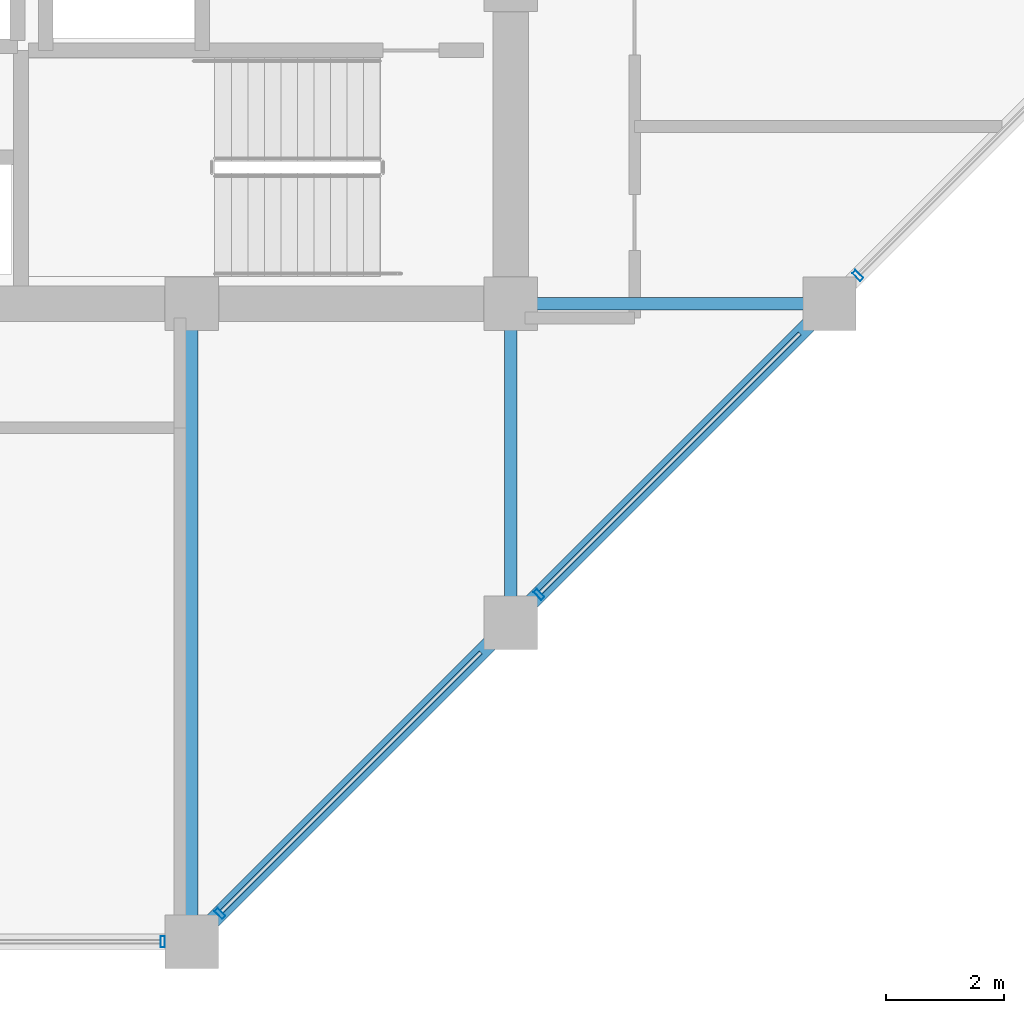
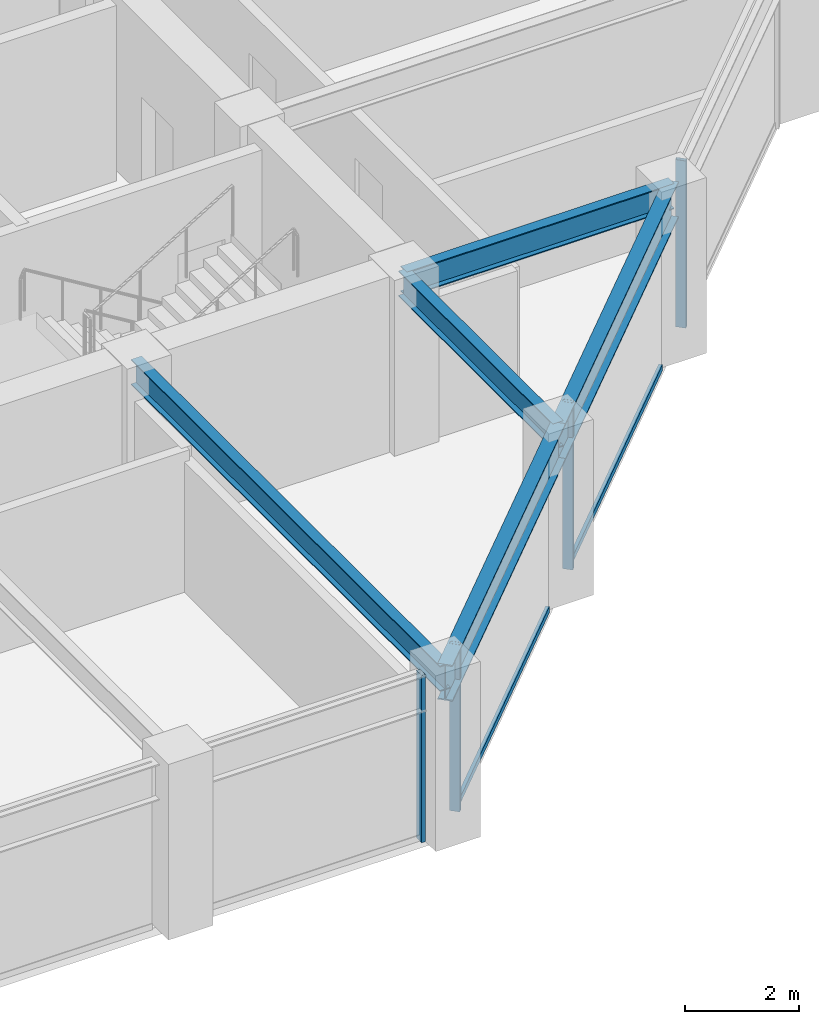
# One storey, part 9 of 28: 6 members, 5 beams, 2 elements without a shape of their own.
"""IFC4 building model written with IfcOpenShell, lengths in metres."""

from ifc_helpers import new_model, si_unit, direction, frame, origin, origin_2d, place, context, subcontext, project, spatial, hollow_rectangle, i_section, extrude, material, layer, layer_set, material_profile, profile_set, type_object, element, aggregate, save


model = new_model("IFC4")

# Units and contexts
model_context = context("Model", 3, precision=1e-05, world=origin(), true_north=direction((0.0, 1.0)))
body_context = subcontext(model_context, "Body", "Model", "MODEL_VIEW")
ifc_project = project(units=[si_unit("LENGTHUNIT", "METRE"), si_unit("AREAUNIT", "SQUARE_METRE"), si_unit("VOLUMEUNIT", "CUBIC_METRE"), si_unit("PLANEANGLEUNIT", "RADIAN"), si_unit("MASSUNIT", "GRAM", prefix="KILO")], contexts=[model_context])

# Site, building, storey
site_placement = place(None, origin())
site = spatial("IfcSite", under=ifc_project, at=site_placement, CompositionType="ELEMENT")
building_placement = place(site_placement, origin())
building = spatial("IfcBuilding", under=site, at=building_placement, Name="Surkhivell Harbour Commons", CompositionType="ELEMENT")
storey_placement = place(building_placement, frame((0.0, 0.0, 178.5)))
storey = spatial("IfcBuildingStorey", under=building, at=storey_placement, Name="L46", CompositionType="ELEMENT", Elevation=178.5)

# Beams
ifc_material_1 = material(Name="Steel S355", Category="steel")
ifc_material_profile_1 = material_profile(ifc_material_1, i_section(OverallWidth=0.2119140625, OverallDepth=0.5439453125, WebThickness=0.0126953125, FlangeThickness=0.021240234375, at=origin_2d()), Name="UB533x210x122")
ifc_profile_set_1 = profile_set([ifc_material_profile_1], Name="Steel S355")
beam_type_1 = type_object("IfcBeamType", Name="BM-GRD-533A", PredefinedType="BEAM", material=ifc_profile_set_1)
beam_1_placement = place(storey_placement, frame((5.39990234375, -21.60009765625, 3.298095703125), z_axis=(0.0, 1.0, 0.0), x_axis=(-1.0, 0.0, 0.0)))
element("IfcBeam", 1, at=beam_1_placement, inside=storey, type_object=beam_type_1, Name="L46 Floor Girder (5.4,-21.6)", PredefinedType="BEAM", context=body_context, shape_type="SweptSolid", body=[
    extrude(i_section(OverallWidth=0.2119140625, OverallDepth=0.5439453125, WebThickness=0.0126953125, FlangeThickness=0.021240234375, at=origin_2d()), origin(), (0.0, 0.0, 1.0), 10.800048828125),
])
for number, where, z_axis, x_axis, name in (
    (2, (10.800048828125, -16.199951171875, 3.298095703125), (0.0, 1.0, 0.0), (-1.0, 0.0, 0.0), "L46 Floor Girder (10.8,-16.2)"),
    (3, (10.800048828125, -10.800048828125, 3.298095703125), (1.0, 0.0, 0.0), (0.0, 1.0, 0.0), "L46 Floor Girder (10.8,-10.8)"),
):
    element("IfcBeam", number, at=place(storey_placement, frame(where, z_axis=z_axis, x_axis=x_axis)), inside=storey, type_object=beam_type_1, Name=name, PredefinedType="BEAM", context=body_context, shape_type="SweptSolid", body=[
        extrude(i_section(OverallWidth=0.2119140625, OverallDepth=0.5439453125, WebThickness=0.0126953125, FlangeThickness=0.021240234375, at=origin_2d()), origin(), (0.0, 0.0, 1.0), 5.39990234375),
    ])
ifc_material_profile_2 = material_profile(ifc_material_1, i_section(OverallWidth=0.26806640625, OverallDepth=0.77001953125, WebThickness=0.015625, FlangeThickness=0.025390625, at=origin_2d()), Name="UB762x267x197")
ifc_profile_set_2 = profile_set([ifc_material_profile_2], Name="Steel S355")
beam_type_2 = type_object("IfcBeamType", Name="BM-SPN-762", PredefinedType="SPANDREL", material=ifc_profile_set_2)
beam_2_placement = place(storey_placement, frame((5.39990234375, -21.60009765625, 3.18505859375), z_axis=(0.707106781187, 0.707106781187, 0.0), x_axis=(-0.707106781187, 0.707106781187, 0.0)))
element("IfcBeam", 4, at=beam_2_placement, inside=storey, type_object=beam_type_2, Name="L46 Tube Spandrel (5.4,-21.6)", PredefinedType="SPANDREL", context=body_context, shape_type="SweptSolid", body=[
    extrude(i_section(OverallWidth=0.26806640625, OverallDepth=0.77001953125, WebThickness=0.015625, FlangeThickness=0.025390625, at=origin_2d()), origin(), (0.0, 0.0, 1.0), 7.636962890625),
])
beam_3_placement = place(storey_placement, frame((10.800048828125, -16.199951171875, 3.18505859375), z_axis=(0.707106781187, 0.707106781187, 0.0), x_axis=(-0.707106781187, 0.707106781187, 0.0)))
element("IfcBeam", 5, at=beam_3_placement, inside=storey, type_object=beam_type_2, Name="L46 Tube Spandrel (10.8,-16.2)", PredefinedType="SPANDREL", context=body_context, shape_type="SweptSolid", body=[
    extrude(i_section(OverallWidth=0.26806640625, OverallDepth=0.77001953125, WebThickness=0.015625, FlangeThickness=0.025390625, at=origin_2d()), origin(), (0.0, 0.0, 1.0), 7.63671875),
])

# Curtain wall, member
ifc_material_2 = material(Name="Anodised pale-metal aluminium and insulated glazing", Category="aluminium")
ifc_layer = layer(ifc_material_2, 0.18994140625)
ifc_layer_set = layer_set([ifc_layer], Name="Anodised pale-metal aluminium and insulated glazing")
curtain_wall_type = type_object("IfcCurtainWallType", Name="CW-SYS-Z3", PredefinedType="NOTDEFINED", material=ifc_layer_set)
curtain_wall_1_placement = place(storey_placement, origin())
curtain_wall_1 = element("IfcCurtainWall", 6, at=curtain_wall_1_placement, inside=storey, type_object=curtain_wall_type, Name="L46 Curtain Wall CW-L46-E00S2", PredefinedType="NOTDEFINED")
ifc_material_3 = material(Name="Anodised pale-metal aluminium alloy 6063-T6", Category="aluminium")
ifc_material_profile_3 = material_profile(ifc_material_3, hollow_rectangle(XDim=0.074951171875, YDim=0.18994140625, WallThickness=0.00390625, at=origin_2d()), Name="ALU-MULL-75x190")
ifc_profile_set_3 = profile_set([ifc_material_profile_3], Name="Anodised pale-metal aluminium alloy 6063-T6")
member_type_1 = type_object("IfcMemberType", Name="CWM-190", PredefinedType="MULLION", material=ifc_profile_set_3)
member_1_placement = place(storey_placement, frame((4.910400390625, -21.60009765625, 0.0), z_axis=(0.0, 0.0, 1.0), x_axis=(1.0, 0.0, 0.0)))
member_1 = element("IfcMember", 7, at=member_1_placement, type_object=member_type_1, Name="CW-Z3 mullion 3", PredefinedType="MULLION", context=body_context, shape_type="SweptSolid", body=[
    extrude(hollow_rectangle(XDim=0.074951171875, YDim=0.18994140625, WallThickness=0.00390625, at=origin_2d()), origin(), (0.0, 0.0, 1.0), 3.570068359375),
])
aggregate(curtain_wall_1, [member_1])

# Curtain wall, members
curtain_wall_2_placement = place(storey_placement, origin())
curtain_wall_2 = element("IfcCurtainWall", 8, at=curtain_wall_2_placement, inside=storey, type_object=curtain_wall_type, Name="L46 Curtain Wall CW-L46-E01", PredefinedType="NOTDEFINED")
member_2_placement = place(storey_placement, frame((5.878173828125, -21.121826171875, 0.0), z_axis=(0.0, 0.0, 1.0), x_axis=(0.707106781187, 0.707106781187, 0.0)))
member_2 = element("IfcMember", 9, at=member_2_placement, type_object=member_type_1, Name="CW-Z3 mullion 1", PredefinedType="MULLION", context=body_context, shape_type="SweptSolid", body=[
    extrude(hollow_rectangle(XDim=0.074951171875, YDim=0.18994140625, WallThickness=0.00390625, at=origin_2d()), origin(), (0.0, 0.0, 1.0), 3.570068359375),
])
member_3_placement = place(storey_placement, frame((11.278076171875, -15.721923828125, 0.0), z_axis=(0.0, 0.0, 1.0), x_axis=(0.707106781187, 0.707106781187, 0.0)))
member_3 = element("IfcMember", 10, at=member_3_placement, type_object=member_type_1, Name="CW-Z3 mullion 2", PredefinedType="MULLION", context=body_context, shape_type="SweptSolid", body=[
    extrude(hollow_rectangle(XDim=0.074951171875, YDim=0.18994140625, WallThickness=0.00390625, at=origin_2d()), origin(), (0.0, 0.0, 1.0), 3.570068359375),
])
member_4_placement = place(storey_placement, frame((16.67822265625, -10.32177734375, 0.0), z_axis=(0.0, 0.0, 1.0), x_axis=(0.707106781187, 0.707106781187, 0.0)))
member_4 = element("IfcMember", 11, at=member_4_placement, type_object=member_type_1, Name="CW-Z3 mullion 3", PredefinedType="MULLION", context=body_context, shape_type="SweptSolid", body=[
    extrude(hollow_rectangle(XDim=0.074951171875, YDim=0.18994140625, WallThickness=0.00390625, at=origin_2d()), origin(), (0.0, 0.0, 1.0), 3.570068359375),
])
ifc_material_4 = material(Name="Champagne anodised aluminium alloy 6063-T6", Category="aluminium")
ifc_material_profile_4 = material_profile(ifc_material_4, hollow_rectangle(XDim=0.070068359375, YDim=0.1298828125, WallThickness=0.00341796875, at=origin_2d()), Name="ALU-TRAN-70x130")
ifc_profile_set_4 = profile_set([ifc_material_profile_4], Name="Champagne anodised aluminium alloy 6063-T6")
member_type_2 = type_object("IfcMemberType", Name="CWT-130", PredefinedType="USERDEFINED", material=ifc_profile_set_4)
member_5_placement = place(storey_placement, frame((5.90478515625, -21.09521484375, 0.06494140625), z_axis=(0.707106781187, 0.707106781187, 0.0), x_axis=(-0.707106781187, 0.707106781187, 0.0)))
member_5 = element("IfcMember", 12, at=member_5_placement, type_object=member_type_2, Name="CW-Z3 transom 1.1", ObjectType="TRANSOM", PredefinedType="USERDEFINED", context=body_context, shape_type="SweptSolid", body=[
    extrude(hollow_rectangle(XDim=0.070068359375, YDim=0.1298828125, WallThickness=0.00341796875, at=origin_2d()), origin(), (0.0, 0.0, 1.0), 6.209228515625),
])
member_6_placement = place(storey_placement, frame((11.3046875, -15.6953125, 0.06494140625), z_axis=(0.707106781187, 0.707106781187, 0.0), x_axis=(-0.707106781187, 0.707106781187, 0.0)))
member_6 = element("IfcMember", 13, at=member_6_placement, type_object=member_type_2, Name="CW-Z3 transom 2.1", ObjectType="TRANSOM", PredefinedType="USERDEFINED", context=body_context, shape_type="SweptSolid", body=[
    extrude(hollow_rectangle(XDim=0.070068359375, YDim=0.1298828125, WallThickness=0.00341796875, at=origin_2d()), origin(), (0.0, 0.0, 1.0), 6.209228515625),
])
aggregate(curtain_wall_2, [member_2, member_5, member_3, member_6, member_4])

save(model, "model.ifc")
